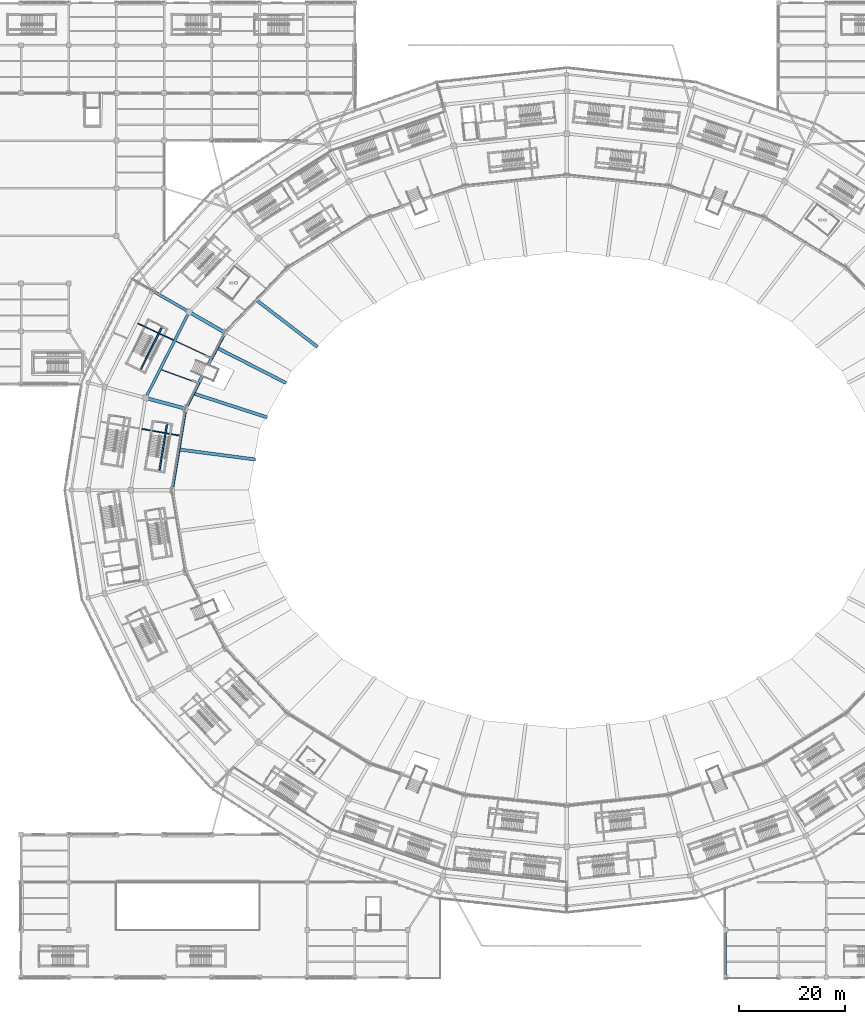
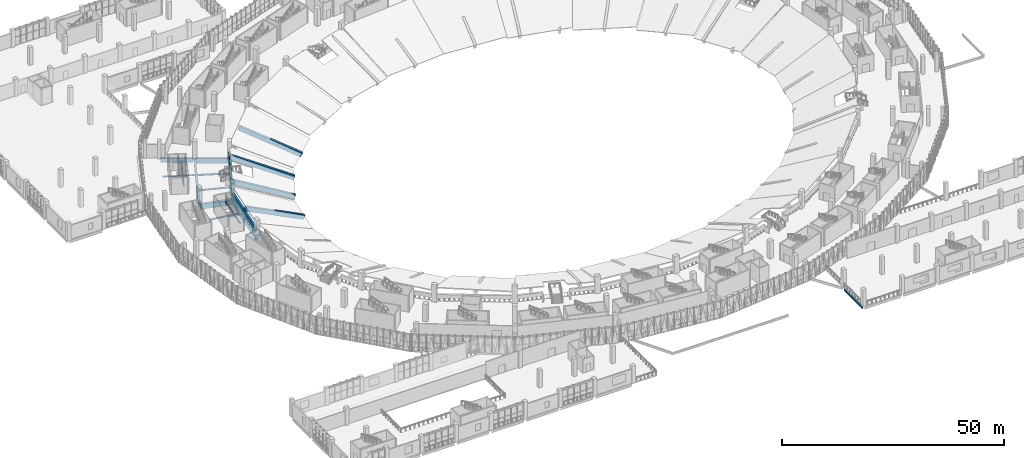
# One storey, part 25 of 183: 20 beams.
"""IFC4 building model written with IfcOpenShell, lengths in metres."""

from ifc_helpers import new_model, si_unit, direction, frame, origin, origin_2d, place, context, subcontext, project, spatial, rectangle, i_section, extrude, material, material_profile, profile_set, type_object, element, save


model = new_model("IFC4")

# Units and contexts
model_context = context("Model", 3, precision=1e-05, world=origin(), true_north=direction((0.0, 1.0)))
body_context = subcontext(model_context, "Body", "Model", "MODEL_VIEW")
ifc_project = project(units=[si_unit("LENGTHUNIT", "METRE"), si_unit("AREAUNIT", "SQUARE_METRE"), si_unit("VOLUMEUNIT", "CUBIC_METRE"), si_unit("PLANEANGLEUNIT", "RADIAN"), si_unit("MASSUNIT", "GRAM", prefix="KILO")], contexts=[model_context])

# Site, building, storey
site_placement = place(None, origin())
site = spatial("IfcSite", under=ifc_project, at=site_placement, CompositionType="ELEMENT")
building_placement = place(site_placement, origin())
building = spatial("IfcBuilding", under=site, at=building_placement, Name="Zevraka Park Crest Stadium", CompositionType="ELEMENT")
storey_placement = place(building_placement, frame((0.0, 0.0, 5.39990234375)))
storey = spatial("IfcBuildingStorey", under=building, at=storey_placement, Name="L01", CompositionType="ELEMENT", Elevation=5.39990234375)

# Beams
ifc_material_1 = material(Name="Concrete C40/50", Category="concrete")
ifc_material_profile_1 = material_profile(ifc_material_1, rectangle(XDim=0.64990234375, YDim=1.35009765625, at=origin_2d()), Name="RC 1350x650")
ifc_profile_set_1 = profile_set([ifc_material_profile_1], Name="Concrete C40/50")
beam_type_1 = type_object("IfcBeamType", Name="BG01", PredefinedType="BEAM", material=ifc_profile_set_1)
beam_1_placement = place(storey_placement, frame((47.220947265625, 121.89990234375, -0.684814453125), z_axis=(-0.866001485781, 0.500041424909, 0.0), x_axis=(-0.500041424909, -0.866001485781, 0.0)))
element("IfcBeam", 1, at=beam_1_placement, inside=storey, type_object=beam_type_1, Name="Radial Girder BG01 L01-BC-10", PredefinedType="BEAM", context=body_context, shape_type="SweptSolid", body=[
    extrude(rectangle(XDim=0.64990234375, YDim=1.35009765625, at=origin_2d()), origin(), (0.0, 0.0, 1.0), 7.19970703125),
])
beam_2_placement = place(storey_placement, frame((39.7490234375, 107.47802734375, -0.684814453125), z_axis=(-0.965945630245, 0.258745124417, 0.0), x_axis=(-0.258745124417, -0.965945630245, 0.0)))
element("IfcBeam", 2, at=beam_2_placement, inside=storey, type_object=beam_type_1, Name="Radial Girder BG01 L01-BC-11", PredefinedType="BEAM", context=body_context, shape_type="SweptSolid", body=[
    extrude(rectangle(XDim=0.64990234375, YDim=1.35009765625, at=origin_2d()), origin(), (0.0, 0.0, 1.0), 7.2001953125),
])
ifc_material_2 = material(Name="Concrete C40/50", Category="concrete")
ifc_material_profile_2 = material_profile(ifc_material_2, rectangle(XDim=0.550048828125, YDim=1.10009765625, at=origin_2d()), Name="RC 1100x550")
ifc_profile_set_2 = profile_set([ifc_material_profile_2], Name="Concrete C40/50")
beam_type_2 = type_object("IfcBeamType", Name="BG02", PredefinedType="BEAM", material=ifc_profile_set_2)
beam_3_placement = place(storey_placement, frame((40.466064453125, 125.800048828125, -0.559814453125), z_axis=(-0.86600700885, 0.500031859608, 0.0), x_axis=(-0.500031859608, -0.86600700885, 0.0)))
element("IfcBeam", 3, at=beam_3_placement, inside=storey, type_object=beam_type_2, Name="Radial Girder BG02 L01-CD-10", PredefinedType="BEAM", context=body_context, shape_type="SweptSolid", body=[
    extrude(rectangle(XDim=0.550048828125, YDim=1.10009765625, at=origin_2d()), origin(), (0.0, 0.0, 1.0), 7.3994140625),
])
ifc_material_3 = material(Name="Steel S355", Category="steel")
ifc_material_profile_3 = material_profile(ifc_material_3, i_section(OverallWidth=0.300048828125, OverallDepth=0.64990234375, WebThickness=0.01611328125, FlangeThickness=0.031005859375, at=origin_2d()), Name="HEB 650")
ifc_profile_set_3 = profile_set([ifc_material_profile_3], Name="Steel S355")
beam_type_3 = type_object("IfcBeamType", Name="BG07", PredefinedType="BEAM", material=ifc_profile_set_3)
beam_4_placement = place(storey_placement, frame((142.0, 0.300048828125, -0.6328125), z_axis=(0.0, 1.0, 0.0), x_axis=(-1.0, 0.0, 0.0)))
element("IfcBeam", 4, at=beam_4_placement, inside=storey, type_object=beam_type_3, Name="Wing Girder BG07 L01-16/AB", PredefinedType="BEAM", context=body_context, shape_type="SweptSolid", body=[
    extrude(i_section(OverallWidth=0.300048828125, OverallDepth=0.64990234375, WebThickness=0.01611328125, FlangeThickness=0.031005859375, at=origin_2d()), origin(), (0.0, 0.0, 1.0), 8.39990234375),
])
ifc_material_4 = material(Name="Concrete C40/50", Category="concrete")
ifc_material_profile_4 = material_profile(ifc_material_4, rectangle(XDim=0.60009765625, YDim=1.199951171875, at=origin_2d()), Name="RC 1200x600")
ifc_profile_set_4 = profile_set([ifc_material_profile_4], Name="Concrete C40/50")
beam_type_4 = type_object("IfcBeamType", Name="RB01", PredefinedType="BEAM", material=ifc_profile_set_4)
beam_5_placement = place(storey_placement, frame((47.305908203125, 121.4130859375, -0.60986328125), z_axis=(-0.460343993973, -0.887740619333, 0.0), x_axis=(0.887740619333, -0.460343993973, 0.0)))
element("IfcBeam", 5, at=beam_5_placement, inside=storey, type_object=beam_type_4, Name="Ring Beam RB01 L01-B-10", PredefinedType="BEAM", context=body_context, shape_type="SweptSolid", body=[
    extrude(rectangle(XDim=0.60009765625, YDim=1.199951171875, at=origin_2d()), origin(), (0.0, 0.0, 1.0), 15.405517578125),
])
beam_6_placement = place(storey_placement, frame((39.97705078125, 107.02490234375, -0.60986328125), z_axis=(-0.162654875862, -0.986683024764, 0.0), x_axis=(0.986683024764, -0.162654875862, 0.0)))
element("IfcBeam", 6, at=beam_6_placement, inside=storey, type_object=beam_type_4, Name="Ring Beam RB01 L01-B-11", PredefinedType="BEAM", context=body_context, shape_type="SweptSolid", body=[
    extrude(rectangle(XDim=0.60009765625, YDim=1.199951171875, at=origin_2d()), origin(), (0.0, 0.0, 1.0), 14.84765625),
])
ifc_material_5 = material(Name="Concrete C40/50", Category="concrete")
ifc_material_profile_5 = material_profile(ifc_material_5, rectangle(XDim=0.5, YDim=0.949951171875, at=origin_2d()), Name="RC 950x500")
ifc_profile_set_5 = profile_set([ifc_material_profile_5], Name="Concrete C40/50")
beam_type_5 = type_object("IfcBeamType", Name="RB02", PredefinedType="BEAM", material=ifc_profile_set_5)
beam_7_placement = place(storey_placement, frame((40.553955078125, 125.31103515625, -0.48486328125), z_axis=(-0.451862275442, -0.892087710953, 0.0), x_axis=(0.892087710953, -0.451862275442, 0.0)))
element("IfcBeam", 7, at=beam_7_placement, inside=storey, type_object=beam_type_5, Name="Ring Beam RB02 L01-C-10", PredefinedType="BEAM", context=body_context, shape_type="SweptSolid", body=[
    extrude(rectangle(XDim=0.5, YDim=0.949951171875, at=origin_2d()), origin(), (0.0, 0.0, 1.0), 17.434326171875),
])
for number, where, z_axis, x_axis, name in (
    (8, (47.258056640625, 121.320068359375, 1.505126953125), (-0.46035697865, -0.887733885919, 0.0), (0.887733885919, -0.46035697865, 0.0), "Lower Tier Head Raker Ring Beam RB02 10-1"),
    (9, (42.569091796875, 112.279052734375, 1.505126953125), (-0.46035697865, -0.887733885919, 0.0), (0.887733885919, -0.46035697865, 0.0), "Lower Tier Head Raker Ring Beam RB02 10-2"),
):
    element("IfcBeam", number, at=place(storey_placement, frame(where, z_axis=z_axis, x_axis=x_axis)), inside=storey, type_object=beam_type_5, Name=name, PredefinedType="BEAM", context=body_context, shape_type="SweptSolid", body=[
        extrude(rectangle(XDim=0.5, YDim=0.949951171875, at=origin_2d()), origin(), (0.0, 0.0, 1.0), 5.01171875),
    ])
beam_8_placement = place(storey_placement, frame((39.97705078125, 107.02490234375, 1.505126953125), z_axis=(-0.162654875862, -0.986683024764, 0.0), x_axis=(0.986683024764, -0.162654875862, 0.0)))
element("IfcBeam", 10, at=beam_8_placement, inside=storey, type_object=beam_type_5, Name="Lower Tier Head Raker Ring Beam RB02 11", PredefinedType="BEAM", context=body_context, shape_type="SweptSolid", body=[
    extrude(rectangle(XDim=0.5, YDim=0.949951171875, at=origin_2d()), origin(), (0.0, 0.0, 1.0), 14.84765625),
])
ifc_material_6 = material(Name="Concrete C40/50", Category="concrete")
ifc_material_profile_6 = material_profile(ifc_material_6, rectangle(XDim=0.60009765625, YDim=1.199951171875, at=origin_2d()), Name="RC 1200x600")
ifc_profile_set_6 = profile_set([ifc_material_profile_6], Name="Concrete C40/50")
beam_type_6 = type_object("IfcBeamType", Name="RK01", PredefinedType="BEAM", material=ifc_profile_set_6)
beam_9_placement = place(storey_placement, frame((64.805908203125, 119.159912109375, -3.64990234375), z_axis=(-0.728653940697, 0.559167614686, 0.395468094026), x_axis=(-0.608796912594, -0.793326111518, 0.0)))
element("IfcBeam", 11, at=beam_9_placement, inside=storey, type_object=beam_type_6, Name="Lower Bowl Raker Girder RK01 09", PredefinedType="BEAM", context=body_context, shape_type="SweptSolid", body=[
    extrude(rectangle(XDim=0.60009765625, YDim=1.199951171875, at=origin_2d()), origin(), (0.0, 0.0, 1.0), 15.652099609375),
])
beam_10_placement = place(storey_placement, frame((58.839111328125, 112.3291015625, -3.64990234375), z_axis=(-0.818622825899, 0.417448167253, 0.394453668476), x_axis=(-0.454283355914, -0.890857245881, 0.0)))
element("IfcBeam", 12, at=beam_10_placement, inside=storey, type_object=beam_type_6, Name="Lower Bowl Raker Girder RK01 10-1", PredefinedType="BEAM", context=body_context, shape_type="SweptSolid", body=[
    extrude(rectangle(XDim=0.60009765625, YDim=1.199951171875, at=origin_2d()), origin(), (0.0, 0.0, 1.0), 15.6923828125),
])
beam_11_placement = place(storey_placement, frame((55.242919921875, 105.818115234375, -3.64990234375), z_axis=(-0.874029568253, 0.283694004576, 0.394449015192), x_axis=(-0.308726195059, -0.951150953574, 0.0)))
element("IfcBeam", 13, at=beam_11_placement, inside=storey, type_object=beam_type_6, Name="Lower Bowl Raker Girder RK01 10-2", PredefinedType="BEAM", context=body_context, shape_type="SweptSolid", body=[
    extrude(rectangle(XDim=0.60009765625, YDim=1.199951171875, at=origin_2d()), origin(), (0.0, 0.0, 1.0), 15.692626953125),
])
beam_12_placement = place(storey_placement, frame((53.02197265625, 97.823974609375, -3.64990234375), z_axis=(-0.910611549195, 0.119863285323, 0.395498924529), x_axis=(-0.130503718104, -0.991447819888, 0.0)))
element("IfcBeam", 14, at=beam_12_placement, inside=storey, type_object=beam_type_6, Name="Lower Bowl Raker Girder RK01 11", PredefinedType="BEAM", context=body_context, shape_type="SweptSolid", body=[
    extrude(rectangle(XDim=0.60009765625, YDim=1.199951171875, at=origin_2d()), origin(), (0.0, 0.0, 1.0), 15.65087890625),
])
ifc_material_7 = material(Name="Steel S355", Category="steel")
ifc_material_profile_7 = material_profile(ifc_material_7, i_section(OverallWidth=0.169921875, OverallDepth=0.360107421875, WebThickness=0.008056640625, FlangeThickness=0.0126953125, at=origin_2d()), Name="IPE 360")
ifc_profile_set_7 = profile_set([ifc_material_profile_7], Name="Steel S355")
beam_type_7 = type_object("IfcBeamType", Name="SJ02", PredefinedType="JOIST", material=ifc_profile_set_7)
beam_13_placement = place(storey_placement, frame((37.762939453125, 120.343017578125, -0.48779296875), z_axis=(-0.906183982971, 0.42288365895, 0.0), x_axis=(-0.42288365895, -0.906183982971, 0.0)))
element("IfcBeam", 15, at=beam_13_placement, inside=storey, type_object=beam_type_7, Name="Floor Joist SJ02 L01-CD-10-1", PredefinedType="JOIST", context=body_context, shape_type="SweptSolid", body=[
    extrude(i_section(OverallWidth=0.169921875, OverallDepth=0.360107421875, WebThickness=0.008056640625, FlangeThickness=0.0126953125, at=origin_2d()), origin(), (0.0, 0.0, 1.0), 7.39892578125),
])
ifc_material_8 = material(Name="Steel S355", Category="steel")
ifc_material_profile_8 = material_profile(ifc_material_8, i_section(OverallWidth=0.18994140625, OverallDepth=0.449951171875, WebThickness=0.009521484375, FlangeThickness=0.0146484375, at=origin_2d()), Name="IPE 450")
ifc_profile_set_8 = profile_set([ifc_material_profile_8], Name="Steel S355")
beam_type_8 = type_object("IfcBeamType", Name="SJ03", PredefinedType="JOIST", material=ifc_profile_set_8)
beam_14_placement = place(storey_placement, frame((44.715087890625, 117.10009765625, -0.532958984375), z_axis=(-0.906247400476, 0.422747736989, 0.0), x_axis=(-0.422747736989, -0.906247400476, 0.0)))
element("IfcBeam", 16, at=beam_14_placement, inside=storey, type_object=beam_type_8, Name="Floor Joist SJ03 L01-BC-10-1", PredefinedType="JOIST", context=body_context, shape_type="SweptSolid", body=[
    extrude(i_section(OverallWidth=0.18994140625, OverallDepth=0.449951171875, WebThickness=0.009521484375, FlangeThickness=0.0146484375, at=origin_2d()), origin(), (0.0, 0.0, 1.0), 7.181396484375),
])
beam_15_placement = place(storey_placement, frame((42.22412109375, 112.291015625, -0.532958984375), z_axis=(-0.939753715128, 0.34185224133, 0.0), x_axis=(-0.34185224133, -0.939753715128, 0.0)))
element("IfcBeam", 17, at=beam_15_placement, inside=storey, type_object=beam_type_8, Name="Floor Joist SJ03 L01-BC-10-2", PredefinedType="JOIST", context=body_context, shape_type="SweptSolid", body=[
    extrude(i_section(OverallWidth=0.18994140625, OverallDepth=0.449951171875, WebThickness=0.009521484375, FlangeThickness=0.0146484375, at=origin_2d()), origin(), (0.0, 0.0, 1.0), 7.181640625),
])
beam_16_placement = place(storey_placement, frame((38.882080078125, 102.321044921875, -0.532958984375), z_axis=(-0.984755135884, 0.173946320312, 0.0), x_axis=(-0.173946320312, -0.984755135884, 0.0)))
element("IfcBeam", 18, at=beam_16_placement, inside=storey, type_object=beam_type_8, Name="Floor Joist SJ03 L01-BC-11-1", PredefinedType="JOIST", context=body_context, shape_type="SweptSolid", body=[
    extrude(i_section(OverallWidth=0.18994140625, OverallDepth=0.449951171875, WebThickness=0.009521484375, FlangeThickness=0.0146484375, at=origin_2d()), origin(), (0.0, 0.0, 1.0), 7.180419921875),
])
ifc_material_9 = material(Name="Concrete C40/50", Category="concrete")
ifc_material_profile_9 = material_profile(ifc_material_9, rectangle(XDim=0.280029296875, YDim=0.199951171875, at=origin_2d()), Name="RC 200x280")
ifc_profile_set_9 = profile_set([ifc_material_profile_9], Name="Concrete C40/50")
beam_type_9 = type_object("IfcBeamType", Name="SJ13", PredefinedType="JOIST", material=ifc_profile_set_9)
beam_17_placement = place(storey_placement, frame((35.624755859375, 122.8623046875, 2.300048828125), z_axis=(-0.447910267746, -0.894078515594, 0.0), x_axis=(0.894078515594, -0.447910267746, 0.0)))
element("IfcBeam", 19, at=beam_17_placement, inside=storey, type_object=beam_type_9, Name="Stair Upper-Flight Longitudinal Stringer SJ13 ST11-L01", PredefinedType="JOIST", context=body_context, shape_type="SweptSolid", body=[
    extrude(rectangle(XDim=0.280029296875, YDim=0.199951171875, at=origin_2d()), origin(), (0.0, 0.0, 1.0), 9.249755859375),
])
beam_18_placement = place(storey_placement, frame((36.56494140625, 104.5751953125, 2.300048828125), z_axis=(-0.160733028795, -0.986997919681, 0.0), x_axis=(0.986997919681, -0.160733028795, 0.0)))
element("IfcBeam", 20, at=beam_18_placement, inside=storey, type_object=beam_type_9, Name="Stair Upper-Flight Longitudinal Stringer SJ13 ST38-L01", PredefinedType="JOIST", context=body_context, shape_type="SweptSolid", body=[
    extrude(rectangle(XDim=0.280029296875, YDim=0.199951171875, at=origin_2d()), origin(), (0.0, 0.0, 1.0), 9.14990234375),
])

save(model, "model.ifc")
